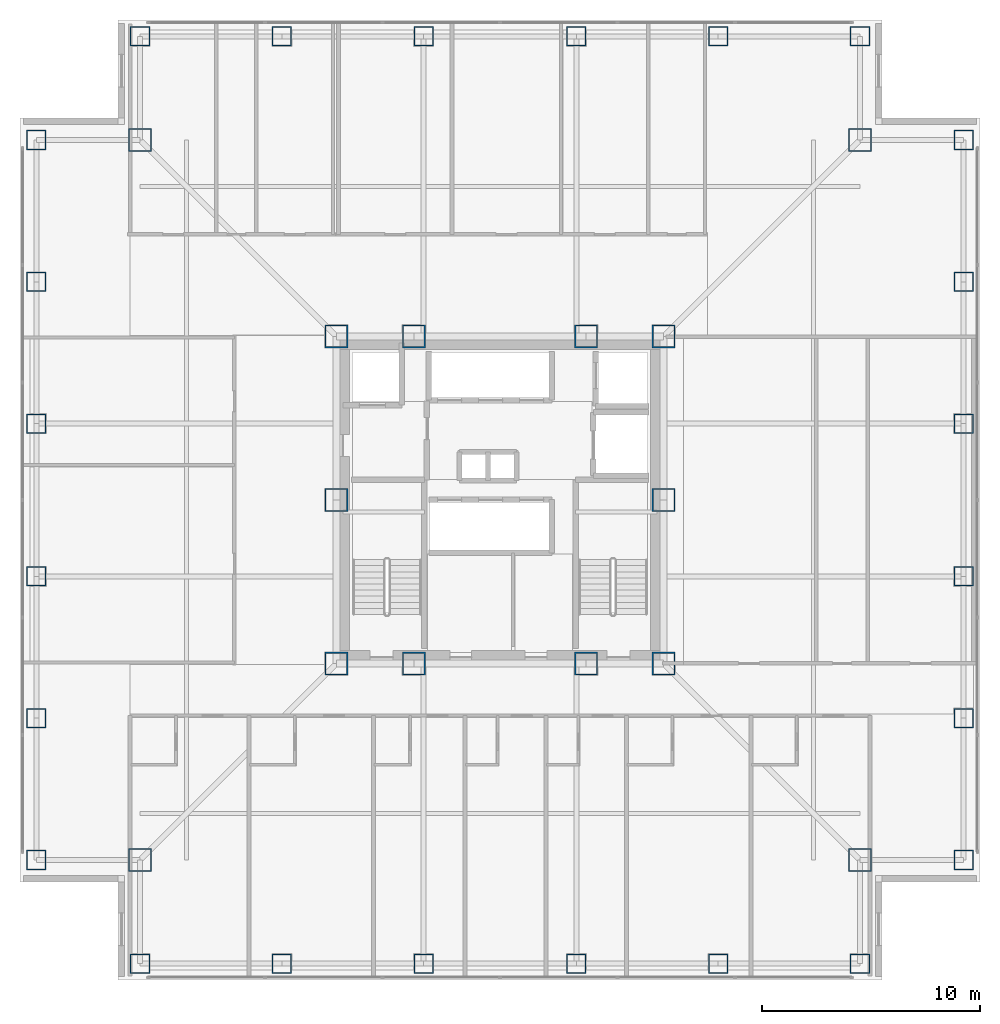
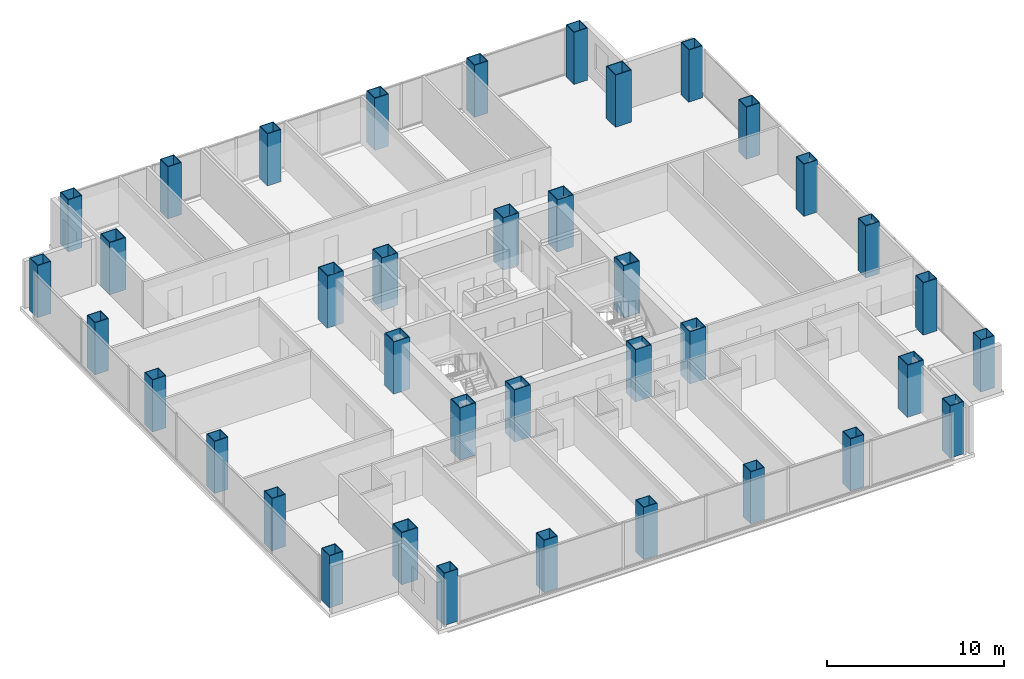
# One storey, part 1 of 18: 38 columns.
"""IFC4 building model written with IfcOpenShell, lengths in metres."""

from ifc_helpers import new_model, si_unit, direction, frame, origin, origin_2d, place, context, subcontext, project, spatial, hollow_rectangle, extrude, material, material_profile, profile_set, type_object, element, save


model = new_model("IFC4")

# Units and contexts
model_context = context("Model", 3, precision=1e-05, world=origin(), true_north=direction((0.0, 1.0)))
body_context = subcontext(model_context, "Body", "Model", "MODEL_VIEW")
ifc_project = project(units=[si_unit("LENGTHUNIT", "METRE"), si_unit("AREAUNIT", "SQUARE_METRE"), si_unit("VOLUMEUNIT", "CUBIC_METRE"), si_unit("PLANEANGLEUNIT", "RADIAN"), si_unit("MASSUNIT", "GRAM", prefix="KILO")], contexts=[model_context])

# Site, building, storey
site_placement = place(None, origin())
site = spatial("IfcSite", under=ifc_project, at=site_placement, CompositionType="ELEMENT")
building_placement = place(site_placement, origin())
building = spatial("IfcBuilding", under=site, at=building_placement, Name="Trevonay Congress Spire", CompositionType="ELEMENT")
storey_placement = place(building_placement, frame((0.0, 0.0, 151.60009765625)))
storey = spatial("IfcBuildingStorey", under=building, at=storey_placement, Name="L39", CompositionType="ELEMENT", Elevation=151.60009765625)

# Columns
ifc_material = material(Name="Steel ASTM A572 Grade 50", Category="steel")
ifc_material_profile_1 = material_profile(ifc_material, hollow_rectangle(XDim=1.050048828125, YDim=1.050048828125, WallThickness=0.050048828125, at=origin_2d()), Name="BOX 1050x1050x50")
ifc_profile_set_1 = profile_set([ifc_material_profile_1], Name="Steel ASTM A572 Grade 50")
column_type_1 = type_object("IfcColumnType", Name="COL-CORE-BOX1050", PredefinedType="COLUMN", material=ifc_profile_set_1)
for number, where, z_axis, x_axis, name in (
    (1, (-7.5, -7.5, 0.0), (0.0, 0.0, 1.0), (1.0, 0.0, 0.0), "L39 column C03 at CC-SW"),
    (2, (-3.949951171875, -7.5, 0.0), (0.0, 0.0, 1.0), (1.0, 0.0, 0.0), "L39 column C03 at CC-SMW"),
    (3, (3.949951171875, -7.5, 0.0), (0.0, 0.0, 1.0), (1.0, 0.0, 0.0), "L39 column C03 at CC-SME"),
    (4, (7.5, -7.5, 0.0), (0.0, 0.0, 1.0), (1.0, 0.0, 0.0), "L39 column C03 at CC-SE"),
    (5, (7.5, 0.0, 0.0), (0.0, 0.0, 1.0), (1.0, 0.0, 0.0), "L39 column C03 at CC-E"),
    (6, (7.5, 7.5, 0.0), (0.0, 0.0, 1.0), (1.0, 0.0, 0.0), "L39 column C03 at CC-NE"),
    (7, (3.949951171875, 7.5, 0.0), (0.0, 0.0, 1.0), (1.0, 0.0, 0.0), "L39 column C03 at CC-NME"),
    (8, (-3.949951171875, 7.5, 0.0), (0.0, 0.0, 1.0), (1.0, 0.0, 0.0), "L39 column C03 at CC-NMW"),
    (9, (-7.5, 7.5, 0.0), (0.0, 0.0, 1.0), (1.0, 0.0, 0.0), "L39 column C03 at CC-NW"),
    (10, (-7.5, 0.0, 0.0), (0.0, 0.0, 1.0), (1.0, 0.0, 0.0), "L39 column C03 at CC-W"),
):
    element("IfcColumn", number, at=place(storey_placement, frame(where, z_axis=z_axis, x_axis=x_axis)), inside=storey, type_object=column_type_1, Name=name, PredefinedType="COLUMN", context=body_context, shape_type="SweptSolid", body=[
        extrude(hollow_rectangle(XDim=1.050048828125, YDim=1.050048828125, WallThickness=0.050048828125, at=origin_2d()), origin(), (0.0, 0.0, 1.0), 3.599853515625),
    ])
ifc_material_profile_2 = material_profile(ifc_material, hollow_rectangle(XDim=1.050048828125, YDim=1.050048828125, WallThickness=0.050048828125, at=origin_2d()), Name="BOX 1050x1050x50")
ifc_profile_set_2 = profile_set([ifc_material_profile_2], Name="Steel ASTM A572 Grade 50")
column_type_2 = type_object("IfcColumnType", Name="COL-TUBE-BOX1050", PredefinedType="COLUMN", material=ifc_profile_set_2)
for number, where, z_axis, x_axis, name in (
    (11, (-16.5, -16.5, 0.0), (0.0, 0.0, 1.0), (1.0, 0.0, 0.0), "L39 column C14 at NC-SW"),
    (12, (16.5, -16.5, 0.0), (0.0, 0.0, 1.0), (1.0, 0.0, 0.0), "L39 column C14 at NC-SE"),
    (13, (16.5, 16.5, 0.0), (0.0, 0.0, 1.0), (1.0, 0.0, 0.0), "L39 column C14 at NC-NE"),
    (14, (-16.5, 16.5, 0.0), (0.0, 0.0, 1.0), (1.0, 0.0, 0.0), "L39 column C14 at NC-NW"),
):
    element("IfcColumn", number, at=place(storey_placement, frame(where, z_axis=z_axis, x_axis=x_axis)), inside=storey, type_object=column_type_2, Name=name, PredefinedType="COLUMN", context=body_context, shape_type="SweptSolid", body=[
        extrude(hollow_rectangle(XDim=1.050048828125, YDim=1.050048828125, WallThickness=0.050048828125, at=origin_2d()), origin(), (0.0, 0.0, 1.0), 3.599853515625),
    ])
ifc_material_profile_3 = material_profile(ifc_material, hollow_rectangle(XDim=0.89990234375, YDim=0.89990234375, WallThickness=0.044921875, at=origin_2d()), Name="BOX 900x900x45")
ifc_profile_set_3 = profile_set([ifc_material_profile_3], Name="Steel ASTM A572 Grade 50")
column_type_3 = type_object("IfcColumnType", Name="COL-TUBE-BOX900", PredefinedType="COLUMN", material=ifc_profile_set_3)
for number, where, z_axis, x_axis, name in (
    (15, (-16.5, -21.25, 0.0), (0.0, 0.0, 1.0), (1.0, 0.0, 0.0), "L39 column C15 at TS-1"),
    (16, (-16.5, 21.25, 0.0), (0.0, 0.0, 1.0), (1.0, 0.0, 0.0), "L39 column C15 at TN-1"),
    (17, (-21.25, -16.5, 0.0), (0.0, 0.0, 1.0), (1.0, 0.0, 0.0), "L39 column C15 at TW-1"),
    (18, (21.25, -16.5, 0.0), (0.0, 0.0, 1.0), (1.0, 0.0, 0.0), "L39 column C15 at TE-1"),
    (19, (-10.0, -21.25, 0.0), (0.0, 0.0, 1.0), (1.0, 0.0, 0.0), "L39 column C15 at TS-2"),
    (20, (-10.0, 21.25, 0.0), (0.0, 0.0, 1.0), (1.0, 0.0, 0.0), "L39 column C15 at TN-2"),
    (21, (-21.25, -10.0, 0.0), (0.0, 0.0, 1.0), (1.0, 0.0, 0.0), "L39 column C15 at TW-2"),
    (22, (21.25, -10.0, 0.0), (0.0, 0.0, 1.0), (1.0, 0.0, 0.0), "L39 column C15 at TE-2"),
    (23, (-3.5, -21.25, 0.0), (0.0, 0.0, 1.0), (1.0, 0.0, 0.0), "L39 column C15 at TS-3"),
    (24, (-3.5, 21.25, 0.0), (0.0, 0.0, 1.0), (1.0, 0.0, 0.0), "L39 column C15 at TN-3"),
    (25, (-21.25, -3.5, 0.0), (0.0, 0.0, 1.0), (1.0, 0.0, 0.0), "L39 column C15 at TW-3"),
    (26, (21.25, -3.5, 0.0), (0.0, 0.0, 1.0), (1.0, 0.0, 0.0), "L39 column C15 at TE-3"),
    (27, (3.5, -21.25, 0.0), (0.0, 0.0, 1.0), (1.0, 0.0, 0.0), "L39 column C15 at TS-4"),
    (28, (3.5, 21.25, 0.0), (0.0, 0.0, 1.0), (1.0, 0.0, 0.0), "L39 column C15 at TN-4"),
    (29, (-21.25, 3.5, 0.0), (0.0, 0.0, 1.0), (1.0, 0.0, 0.0), "L39 column C15 at TW-4"),
    (30, (21.25, 3.5, 0.0), (0.0, 0.0, 1.0), (1.0, 0.0, 0.0), "L39 column C15 at TE-4"),
    (31, (10.0, -21.25, 0.0), (0.0, 0.0, 1.0), (1.0, 0.0, 0.0), "L39 column C15 at TS-5"),
    (32, (10.0, 21.25, 0.0), (0.0, 0.0, 1.0), (1.0, 0.0, 0.0), "L39 column C15 at TN-5"),
    (33, (-21.25, 10.0, 0.0), (0.0, 0.0, 1.0), (1.0, 0.0, 0.0), "L39 column C15 at TW-5"),
    (34, (21.25, 10.0, 0.0), (0.0, 0.0, 1.0), (1.0, 0.0, 0.0), "L39 column C15 at TE-5"),
    (35, (16.5, -21.25, 0.0), (0.0, 0.0, 1.0), (1.0, 0.0, 0.0), "L39 column C15 at TS-6"),
    (36, (16.5, 21.25, 0.0), (0.0, 0.0, 1.0), (1.0, 0.0, 0.0), "L39 column C15 at TN-6"),
    (37, (-21.25, 16.5, 0.0), (0.0, 0.0, 1.0), (1.0, 0.0, 0.0), "L39 column C15 at TW-6"),
    (38, (21.25, 16.5, 0.0), (0.0, 0.0, 1.0), (1.0, 0.0, 0.0), "L39 column C15 at TE-6"),
):
    element("IfcColumn", number, at=place(storey_placement, frame(where, z_axis=z_axis, x_axis=x_axis)), inside=storey, type_object=column_type_3, Name=name, PredefinedType="COLUMN", context=body_context, shape_type="SweptSolid", body=[
        extrude(hollow_rectangle(XDim=0.89990234375, YDim=0.89990234375, WallThickness=0.044921875, at=origin_2d()), origin(), (0.0, 0.0, 1.0), 3.599853515625),
    ])

save(model, "model.ifc")
